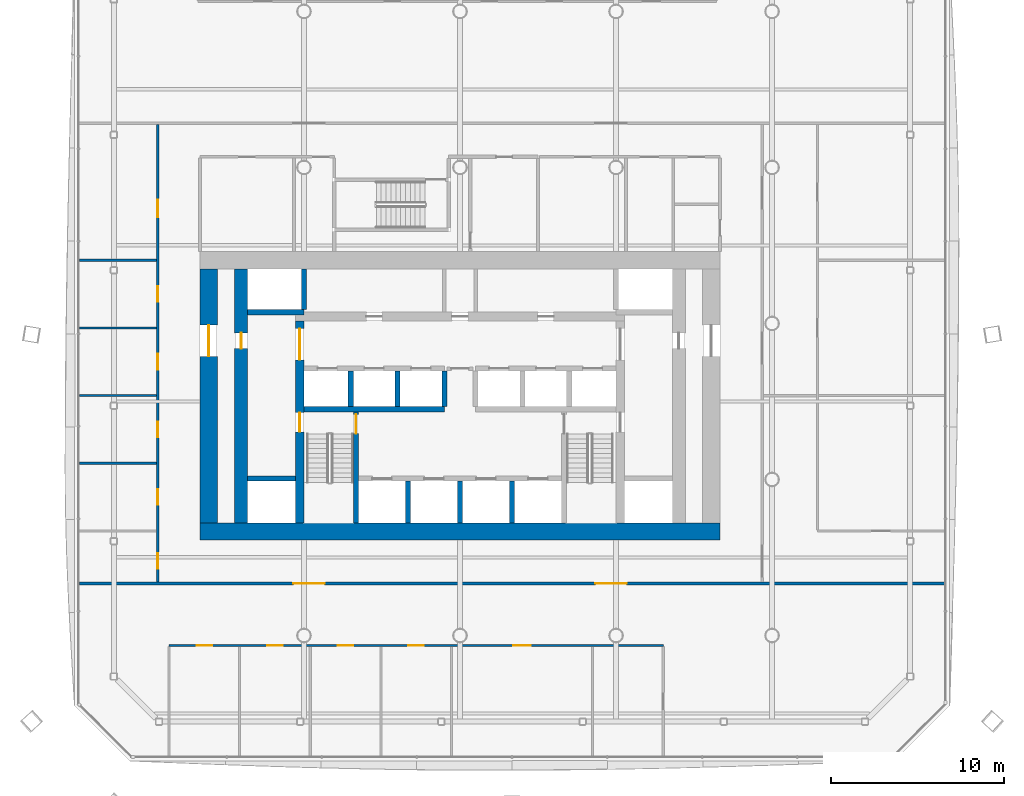
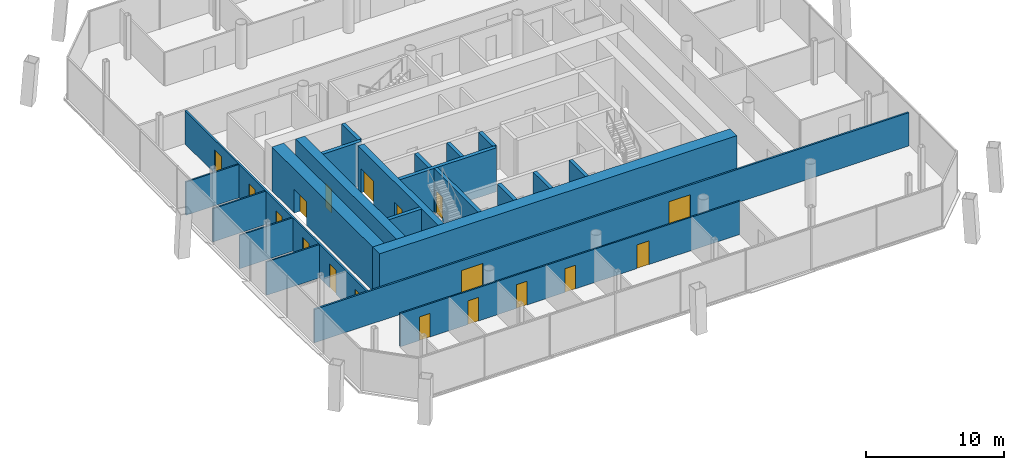
# One storey, part 11 of 19: 22 walls, 18 doors, 18 openings.
"""IFC4 building model written with IfcOpenShell, lengths in metres."""

from ifc_helpers import new_model, si_unit, direction, frame, frame_2d, origin, place, context, subcontext, project, spatial, rectangle, extrude, material, layer, layer_set, type_object, element, fill, save


model = new_model("IFC4")

# Units and contexts
model_context = context("Model", 3, precision=1e-05, world=origin(), true_north=direction((0.0, 1.0)))
body_context = subcontext(model_context, "Body", "Model", "MODEL_VIEW")
ifc_project = project(units=[si_unit("LENGTHUNIT", "METRE"), si_unit("AREAUNIT", "SQUARE_METRE"), si_unit("VOLUMEUNIT", "CUBIC_METRE"), si_unit("PLANEANGLEUNIT", "RADIAN"), si_unit("MASSUNIT", "GRAM", prefix="KILO")], contexts=[model_context])

# Site, building, storey
site_placement = place(None, origin())
site = spatial("IfcSite", under=ifc_project, at=site_placement, CompositionType="ELEMENT")
building_placement = place(site_placement, origin())
building = spatial("IfcBuilding", under=site, at=building_placement, Name="Tskaro Facet Tower", CompositionType="ELEMENT")
storey_placement = place(building_placement, frame((0.0, 0.0, 81.60009765625)))
storey = spatial("IfcBuildingStorey", under=building, at=storey_placement, Name="L19", CompositionType="ELEMENT", Elevation=81.60009765625)

# Walls
ifc_material_1 = material(Name="Concrete C60/75", Category="concrete")
ifc_layer_1 = layer(ifc_material_1, 0.300048828125, Name="Concrete C60/75")
ifc_layer_set_1 = layer_set([ifc_layer_1], Name="Concrete C60/75")
wall_type_1 = type_object("IfcWallType", Name="CORE-SHAFT", PredefinedType="SHEAR", material=ifc_layer_set_1)
wall_1_placement = place(storey_placement, frame((-12.25, -8.949951171875, 0.0), z_axis=(0.0, 0.0, 1.0), x_axis=(1.0, 0.0, 0.0)))
element("IfcWall", 1, at=wall_1_placement, inside=storey, type_object=wall_type_1, Name="Shaft wall W005", PredefinedType="SHEAR", context=body_context, shape_type="SweptSolid", body=[
    extrude(rectangle(XDim=2.75, YDim=0.300048828125, at=frame_2d((1.375, 0.0))), origin(), (0.0, 0.0, 1.0), 3.89990234375),
])
wall_2_placement = place(storey_placement, frame((-9.0, -4.949951171875, 0.0), z_axis=(0.0, 0.0, 1.0), x_axis=(1.0, 0.0, 0.0)))
element("IfcWall", 2, at=wall_2_placement, inside=storey, type_object=wall_type_1, Name="Shaft wall W009", PredefinedType="SHEAR", context=body_context, shape_type="SweptSolid", body=[
    extrude(rectangle(XDim=8.10009765625, YDim=0.300048828125, at=frame_2d((4.050048828125, 0.0))), origin(), (0.0, 0.0, 1.0), 3.89990234375),
])
wall_3_placement = place(storey_placement, frame((-9.0, 0.64990234375, 0.0), z_axis=(0.0, 0.0, 1.0), x_axis=(-1.0, 0.0, 0.0)))
element("IfcWall", 3, at=wall_3_placement, inside=storey, type_object=wall_type_1, Name="Shaft wall W018", PredefinedType="SHEAR", context=body_context, shape_type="SweptSolid", body=[
    extrude(rectangle(XDim=3.25, YDim=0.300048828125, at=frame_2d((1.625, 0.0))), origin(), (0.0, 0.0, 1.0), 3.89990234375),
])
wall_4_placement = place(storey_placement, frame((-9.0, 0.800048828125, 0.0), z_axis=(0.0, 0.0, 1.0), x_axis=(0.0, 1.0, 0.0)))
element("IfcWall", 4, at=wall_4_placement, inside=storey, type_object=wall_type_1, Name="Shaft wall W036", PredefinedType="SHEAR", context=body_context, shape_type="SweptSolid", body=[
    extrude(rectangle(XDim=2.349853515625, YDim=0.300048828125, at=frame_2d((1.1748046875, 0.0))), origin(), (0.0, 0.0, 1.0), 3.89990234375),
])
wall_5_placement = place(storey_placement, frame((-6.300048828125, -4.800048828125, 0.0), z_axis=(0.0, 0.0, 1.0), x_axis=(0.0, 1.0, 0.0)))
element("IfcWall", 5, at=wall_5_placement, inside=storey, type_object=wall_type_1, Name="Shaft wall W042", PredefinedType="SHEAR", context=body_context, shape_type="SweptSolid", body=[
    extrude(rectangle(XDim=2.050048828125, YDim=0.300048828125, at=frame_2d((1.02490234375, 0.0))), origin(), (0.0, 0.0, 1.0), 3.89990234375),
])

# Wall, opening, door
wall_6_placement = place(storey_placement, frame((-6.0, -11.5, 0.0), z_axis=(0.0, 0.0, 1.0), x_axis=(0.0, 1.0, 0.0)))
wall_6 = element("IfcWall", 6, at=wall_6_placement, inside=storey, type_object=wall_type_1, Name="Shaft wall W043", PredefinedType="SHEAR", context=body_context, shape_type="SweptSolid", body=[
    extrude(rectangle(XDim=6.39990234375, YDim=0.300048828125, at=frame_2d((3.199951171875, 0.0))), origin(), (0.0, 0.0, 1.0), 3.89990234375),
])
opening_1_placement = place(wall_6_placement, frame((5.14990234375, 0.0, 0.0)))
opening_1 = element("IfcOpeningElement", 7, at=opening_1_placement, cuts=wall_6, Name="Opening ST-1-D1", PredefinedType="OPENING", context=body_context, shape_type="SweptSolid", body=[
    extrude(rectangle(XDim=1.10009765625, YDim=2.10009765625, at=frame_2d((0.550048828125, 1.050048828125))), frame((0.0, 0.159912109375, 0.0), z_axis=(0.0, -1.0, 0.0), x_axis=(1.0, 0.0, 0.0)), (0.0, 0.0, 1.0), 0.320068359375),
])
ifc_material_2 = material(Name="Steel", Category="steel")
door_type_1 = type_object("IfcDoorType", Name="D-STAIR", OperationType="NOTDEFINED", PredefinedType="DOOR", material=ifc_material_2)
door_1_placement = place(opening_1_placement, origin())
door_1 = element("IfcDoor", 8, at=door_1_placement, inside=storey, type_object=door_type_1, Name="Stair door 1", OperationType="SINGLE_SWING_LEFT", OverallHeight=2.10009765625, OverallWidth=1.10009765625, PredefinedType="DOOR", context=body_context, shape_type="SweptSolid", body=[
    extrude(rectangle(XDim=1.10009765625, YDim=2.10009765625, at=frame_2d((0.550048828125, 1.050048828125))), frame((0.0, 0.02490234375, 0.0), z_axis=(0.0, -1.0, 0.0), x_axis=(1.0, 0.0, 0.0)), (0.0, 0.0, 1.0), 0.050048828125),
])
fill(opening_1, door_1)

# Walls
wall_7_placement = place(storey_placement, frame((-3.60009765625, -4.800048828125, 0.0), z_axis=(0.0, 0.0, 1.0), x_axis=(0.0, 1.0, 0.0)))
element("IfcWall", 9, at=wall_7_placement, inside=storey, type_object=wall_type_1, Name="Shaft wall W045", PredefinedType="SHEAR", context=body_context, shape_type="SweptSolid", body=[
    extrude(rectangle(XDim=2.050048828125, YDim=0.300048828125, at=frame_2d((1.02490234375, 0.0))), origin(), (0.0, 0.0, 1.0), 3.89990234375),
])
wall_8_placement = place(storey_placement, frame((-3.0, -11.5, 0.0), z_axis=(0.0, 0.0, 1.0), x_axis=(0.0, 1.0, 0.0)))
element("IfcWall", 10, at=wall_8_placement, inside=storey, type_object=wall_type_1, Name="Shaft wall W046", PredefinedType="SHEAR", context=body_context, shape_type="SweptSolid", body=[
    extrude(rectangle(XDim=2.39990234375, YDim=0.300048828125, at=frame_2d((1.199951171875, 0.0))), origin(), (0.0, 0.0, 1.0), 3.89990234375),
])
wall_9_placement = place(storey_placement, frame((-0.89990234375, -4.800048828125, 0.0), z_axis=(0.0, 0.0, 1.0), x_axis=(0.0, 1.0, 0.0)))
element("IfcWall", 11, at=wall_9_placement, inside=storey, type_object=wall_type_1, Name="Shaft wall W047", PredefinedType="SHEAR", context=body_context, shape_type="SweptSolid", body=[
    extrude(rectangle(XDim=2.050048828125, YDim=0.300048828125, at=frame_2d((1.02490234375, 0.0))), origin(), (0.0, 0.0, 1.0), 3.89990234375),
])
for number, where, z_axis, x_axis, name in (
    (12, (0.0, -11.5, 0.0), (0.0, 0.0, 1.0), (0.0, 1.0, 0.0), "Shaft wall W053"),
    (13, (3.0, -11.5, 0.0), (0.0, 0.0, 1.0), (0.0, 1.0, 0.0), "Shaft wall W057"),
):
    element("IfcWall", number, at=place(storey_placement, frame(where, z_axis=z_axis, x_axis=x_axis)), inside=storey, type_object=wall_type_1, Name=name, PredefinedType="SHEAR", context=body_context, shape_type="SweptSolid", body=[
        extrude(rectangle(XDim=2.39990234375, YDim=0.300048828125, at=frame_2d((1.199951171875, 0.0))), origin(), (0.0, 0.0, 1.0), 3.89990234375),
    ])
ifc_layer_2 = layer(ifc_material_1, 1.0, Name="Concrete C60/75")
ifc_layer_set_2 = layer_set([ifc_layer_2], Name="Concrete C60/75")
wall_type_2 = type_object("IfcWallType", Name="Core wall 1000", PredefinedType="SHEAR", material=ifc_layer_set_2)
wall_10_placement = place(storey_placement, frame((-15.0, -12.0, 0.0), z_axis=(0.0, 0.0, 1.0), x_axis=(1.0, 0.0, 0.0)))
element("IfcWall", 14, at=wall_10_placement, inside=storey, type_object=wall_type_2, Name="Core wall CW-Z1S", PredefinedType="SHEAR", context=body_context, shape_type="SweptSolid", body=[
    extrude(rectangle(XDim=30.0, YDim=1.0, at=frame_2d((15.0, 0.0))), origin(), (0.0, 0.0, 1.0), 3.89990234375),
])

# Wall, opening, door
wall_11_placement = place(storey_placement, frame((-14.5, -11.5, 0.0), z_axis=(0.0, 0.0, 1.0), x_axis=(0.0, 1.0, 0.0)))
wall_11 = element("IfcWall", 15, at=wall_11_placement, inside=storey, type_object=wall_type_2, Name="Core wall CW-Z1W", PredefinedType="SHEAR", context=body_context, shape_type="SweptSolid", body=[
    extrude(rectangle(XDim=14.64990234375, YDim=1.0, at=frame_2d((7.324951171875, 0.0))), origin(), (0.0, 0.0, 1.0), 3.89990234375),
])
opening_2_placement = place(wall_11_placement, frame((9.60009765625, 0.0, 0.0)))
opening_2 = element("IfcOpeningElement", 16, at=opening_2_placement, cuts=wall_11, Name="Opening T5-D20", PredefinedType="OPENING", context=body_context, shape_type="SweptSolid", body=[
    extrude(rectangle(XDim=1.800048828125, YDim=2.10009765625, at=frame_2d((0.89990234375, 1.050048828125))), frame((0.0, 0.510009765625, 0.0), z_axis=(0.0, -1.0, 0.0), x_axis=(1.0, 0.0, 0.0)), (0.0, 0.0, 1.0), 1.02001953125),
])
door_type_2 = type_object("IfcDoorType", Name="D-CORE-PAIR", OperationType="NOTDEFINED", PredefinedType="DOOR", material=ifc_material_2)
door_2_placement = place(opening_2_placement, origin())
door_2 = element("IfcDoor", 17, at=door_2_placement, inside=storey, type_object=door_type_2, Name="Door T5-D20", OperationType="DOUBLE_DOOR_SINGLE_SWING", OverallHeight=2.10009765625, OverallWidth=1.800048828125, PredefinedType="DOOR", context=body_context, shape_type="SweptSolid", body=[
    extrude(rectangle(XDim=1.800048828125, YDim=2.10009765625, at=frame_2d((0.89990234375, 1.050048828125))), frame((0.0, 0.02490234375, 0.0), z_axis=(0.0, -1.0, 0.0), x_axis=(1.0, 0.0, 0.0)), (0.0, 0.0, 1.0), 0.050048828125),
])
fill(opening_2, door_2)

# Wall, openings, doors
ifc_material_3 = material(Name="Concrete C40/50", Category="concrete")
ifc_layer_3 = layer(ifc_material_3, 0.5, Name="Concrete C40/50")
ifc_layer_set_3 = layer_set([ifc_layer_3], Name="Concrete C40/50")
wall_type_3 = type_object("IfcWallType", Name="Core wall 500", PredefinedType="SHEAR", material=ifc_layer_set_3)
wall_12_placement = place(storey_placement, frame((-9.25, -11.5, 0.0), z_axis=(0.0, 0.0, 1.0), x_axis=(0.0, 1.0, 0.0)))
wall_12 = element("IfcWall", 18, at=wall_12_placement, inside=storey, type_object=wall_type_3, Name="Core wall CW-Z3W", PredefinedType="SHEAR", context=body_context, shape_type="SweptSolid", body=[
    extrude(rectangle(XDim=11.64990234375, YDim=0.5, at=frame_2d((5.824951171875, 0.0))), origin(), (0.0, 0.0, 1.0), 3.89990234375),
])
opening_3_placement = place(wall_12_placement, frame((9.39990234375, 0.0, 0.0)))
opening_3 = element("IfcOpeningElement", 19, at=opening_3_placement, cuts=wall_12, Name="Opening T5-D18", PredefinedType="OPENING", context=body_context, shape_type="SweptSolid", body=[
    extrude(rectangle(XDim=1.800048828125, YDim=2.10009765625, at=frame_2d((0.89990234375, 1.050048828125))), frame((0.0, 0.260009765625, 0.0), z_axis=(0.0, -1.0, 0.0), x_axis=(1.0, 0.0, 0.0)), (0.0, 0.0, 1.0), 0.52001953125),
])
opening_4_placement = place(wall_12_placement, frame((5.25, 0.0, 0.0)))
opening_4 = element("IfcOpeningElement", 20, at=opening_4_placement, cuts=wall_12, Name="Opening ST-1-D2", PredefinedType="OPENING", context=body_context, shape_type="SweptSolid", body=[
    extrude(rectangle(XDim=1.10009765625, YDim=2.10009765625, at=frame_2d((0.550048828125, 1.050048828125))), frame((0.0, 0.260009765625, 0.0), z_axis=(0.0, -1.0, 0.0), x_axis=(1.0, 0.0, 0.0)), (0.0, 0.0, 1.0), 0.52001953125),
])
door_3_placement = place(opening_3_placement, origin())
door_3 = element("IfcDoor", 21, at=door_3_placement, inside=storey, type_object=door_type_2, Name="Door T5-D18", OperationType="DOUBLE_DOOR_SINGLE_SWING", OverallHeight=2.10009765625, OverallWidth=1.800048828125, PredefinedType="DOOR", context=body_context, shape_type="SweptSolid", body=[
    extrude(rectangle(XDim=1.800048828125, YDim=2.10009765625, at=frame_2d((0.89990234375, 1.050048828125))), frame((0.0, 0.02490234375, 0.0), z_axis=(0.0, -1.0, 0.0), x_axis=(1.0, 0.0, 0.0)), (0.0, 0.0, 1.0), 0.050048828125),
])
fill(opening_3, door_3)
door_4_placement = place(opening_4_placement, origin())
door_4 = element("IfcDoor", 22, at=door_4_placement, inside=storey, type_object=door_type_1, Name="Stair door 1 west", OperationType="SINGLE_SWING_LEFT", OverallHeight=2.10009765625, OverallWidth=1.10009765625, PredefinedType="DOOR", context=body_context, shape_type="SweptSolid", body=[
    extrude(rectangle(XDim=1.10009765625, YDim=2.10009765625, at=frame_2d((0.550048828125, 1.050048828125))), frame((0.0, 0.02490234375, 0.0), z_axis=(0.0, -1.0, 0.0), x_axis=(1.0, 0.0, 0.0)), (0.0, 0.0, 1.0), 0.050048828125),
])
fill(opening_4, door_4)

# Wall, opening, door
ifc_material_4 = material(Name="Concrete C50/60", Category="concrete")
ifc_layer_4 = layer(ifc_material_4, 0.75, Name="Concrete C50/60")
ifc_layer_set_4 = layer_set([ifc_layer_4], Name="Concrete C50/60")
wall_type_4 = type_object("IfcWallType", Name="Core wall 750", PredefinedType="SHEAR", material=ifc_layer_set_4)
wall_13_placement = place(storey_placement, frame((-12.625, -11.5, 0.0), z_axis=(0.0, 0.0, 1.0), x_axis=(0.0, 1.0, 0.0)))
wall_13 = element("IfcWall", 23, at=wall_13_placement, inside=storey, type_object=wall_type_4, Name="Core wall CW-Z2W", PredefinedType="SHEAR", context=body_context, shape_type="SweptSolid", body=[
    extrude(rectangle(XDim=14.64990234375, YDim=0.75, at=frame_2d((7.324951171875, 0.0))), origin(), (0.0, 0.0, 1.0), 3.89990234375),
])
opening_5_placement = place(wall_13_placement, frame((10.050048828125, 0.0, 0.0)))
opening_5 = element("IfcOpeningElement", 24, at=opening_5_placement, cuts=wall_13, Name="Opening T5-D21", PredefinedType="OPENING", context=body_context, shape_type="SweptSolid", body=[
    extrude(rectangle(XDim=0.89990234375, YDim=2.10009765625, at=frame_2d((0.449951171875, 1.050048828125))), frame((0.0, 0.385009765625, 0.0), z_axis=(0.0, -1.0, 0.0), x_axis=(1.0, 0.0, 0.0)), (0.0, 0.0, 1.0), 0.77001953125),
])
ifc_material_5 = material(Name="Timber", Category="wood")
door_type_3 = type_object("IfcDoorType", Name="D-ROOM", OperationType="NOTDEFINED", PredefinedType="DOOR", material=ifc_material_5)
door_5_placement = place(opening_5_placement, origin())
door_5 = element("IfcDoor", 25, at=door_5_placement, inside=storey, type_object=door_type_3, Name="Door T5-D21", OperationType="SINGLE_SWING_LEFT", OverallHeight=2.10009765625, OverallWidth=0.89990234375, PredefinedType="DOOR", context=body_context, shape_type="SweptSolid", body=[
    extrude(rectangle(XDim=0.89990234375, YDim=2.10009765625, at=frame_2d((0.449951171875, 1.050048828125))), frame((0.0, 0.02490234375, 0.0), z_axis=(0.0, -1.0, 0.0), x_axis=(1.0, 0.0, 0.0)), (0.0, 0.0, 1.0), 0.050048828125),
])
fill(opening_5, door_5)

# Wall, openings, doors
ifc_material_6 = material(Name="Gypsum board on steel studs", Category="steel")
ifc_layer_5 = layer(ifc_material_6, 0.125, Name="Gypsum board on steel studs")
ifc_layer_set_5 = layer_set([ifc_layer_5], Name="Gypsum board on steel studs")
wall_type_5 = type_object("IfcWallType", Name="PART", PredefinedType="PARTITIONING", material=ifc_layer_set_5)
wall_14_placement = place(storey_placement, frame((11.72607421875, -18.580078125, 0.0), z_axis=(0.0, 0.0, 1.0), x_axis=(-1.0, 0.0, 0.0)))
wall_14 = element("IfcWall", 26, at=wall_14_placement, inside=storey, type_object=wall_type_5, Name="Partition W001", PredefinedType="PARTITIONING", context=body_context, shape_type="SweptSolid", body=[
    extrude(rectangle(XDim=28.510009765625, YDim=0.125, at=frame_2d((14.2548828125, 0.0))), origin(), (0.0, 0.0, 1.0), 2.9599609375),
])
opening_6_placement = place(wall_14_placement, frame((7.64599609375, 0.0, 0.0)))
opening_6 = element("IfcOpeningElement", 27, at=opening_6_placement, cuts=wall_14, Name="Opening T5-D06", PredefinedType="OPENING", context=body_context, shape_type="SweptSolid", body=[
    extrude(rectangle(XDim=1.0, YDim=2.10009765625, at=frame_2d((0.5, 1.050048828125))), frame((0.0, 0.072509765625, 0.0), z_axis=(0.0, -1.0, 0.0), x_axis=(1.0, 0.0, 0.0)), (0.0, 0.0, 1.0), 0.14501953125),
])
opening_7_placement = place(wall_14_placement, frame((26.0234375, 0.0, 0.0)))
opening_7 = element("IfcOpeningElement", 28, at=opening_7_placement, cuts=wall_14, Name="Opening T5-D02", PredefinedType="OPENING", context=body_context, shape_type="SweptSolid", body=[
    extrude(rectangle(XDim=0.89990234375, YDim=2.10009765625, at=frame_2d((0.449951171875, 1.050048828125))), frame((0.0, 0.072509765625, 0.0), z_axis=(0.0, -1.0, 0.0), x_axis=(1.0, 0.0, 0.0)), (0.0, 0.0, 1.0), 0.14501953125),
])
opening_8_placement = place(wall_14_placement, frame((21.950439453125, 0.0, 0.0)))
opening_8 = element("IfcOpeningElement", 29, at=opening_8_placement, cuts=wall_14, Name="Opening T5-D03", PredefinedType="OPENING", context=body_context, shape_type="SweptSolid", body=[
    extrude(rectangle(XDim=0.89990234375, YDim=2.10009765625, at=frame_2d((0.449951171875, 1.050048828125))), frame((0.0, 0.072509765625, 0.0), z_axis=(0.0, -1.0, 0.0), x_axis=(1.0, 0.0, 0.0)), (0.0, 0.0, 1.0), 0.14501953125),
])
opening_9_placement = place(wall_14_placement, frame((17.8779296875, 0.0, 0.0)))
opening_9 = element("IfcOpeningElement", 30, at=opening_9_placement, cuts=wall_14, Name="Opening T5-D04", PredefinedType="OPENING", context=body_context, shape_type="SweptSolid", body=[
    extrude(rectangle(XDim=0.89990234375, YDim=2.10009765625, at=frame_2d((0.449951171875, 1.050048828125))), frame((0.0, 0.072509765625, 0.0), z_axis=(0.0, -1.0, 0.0), x_axis=(1.0, 0.0, 0.0)), (0.0, 0.0, 1.0), 0.14501953125),
])
opening_10_placement = place(wall_14_placement, frame((13.805419921875, 0.0, 0.0)))
opening_10 = element("IfcOpeningElement", 31, at=opening_10_placement, cuts=wall_14, Name="Opening T5-D05", PredefinedType="OPENING", context=body_context, shape_type="SweptSolid", body=[
    extrude(rectangle(XDim=0.89990234375, YDim=2.10009765625, at=frame_2d((0.449951171875, 1.050048828125))), frame((0.0, 0.072509765625, 0.0), z_axis=(0.0, -1.0, 0.0), x_axis=(1.0, 0.0, 0.0)), (0.0, 0.0, 1.0), 0.14501953125),
])
door_6_placement = place(opening_7_placement, origin())
door_6 = element("IfcDoor", 32, at=door_6_placement, inside=storey, type_object=door_type_3, Name="Door T5-D02", OperationType="SINGLE_SWING_RIGHT", OverallHeight=2.10009765625, OverallWidth=0.89990234375, PredefinedType="DOOR", context=body_context, shape_type="SweptSolid", body=[
    extrude(rectangle(XDim=0.89990234375, YDim=2.10009765625, at=frame_2d((0.449951171875, 1.050048828125))), frame((0.0, 0.02490234375, 0.0), z_axis=(0.0, -1.0, 0.0), x_axis=(1.0, 0.0, 0.0)), (0.0, 0.0, 1.0), 0.050048828125),
])
fill(opening_7, door_6)
door_7_placement = place(opening_8_placement, origin())
door_7 = element("IfcDoor", 33, at=door_7_placement, inside=storey, type_object=door_type_3, Name="Door T5-D03", OperationType="SINGLE_SWING_RIGHT", OverallHeight=2.10009765625, OverallWidth=0.89990234375, PredefinedType="DOOR", context=body_context, shape_type="SweptSolid", body=[
    extrude(rectangle(XDim=0.89990234375, YDim=2.10009765625, at=frame_2d((0.449951171875, 1.050048828125))), frame((0.0, 0.02490234375, 0.0), z_axis=(0.0, -1.0, 0.0), x_axis=(1.0, 0.0, 0.0)), (0.0, 0.0, 1.0), 0.050048828125),
])
fill(opening_8, door_7)
door_8_placement = place(opening_9_placement, origin())
door_8 = element("IfcDoor", 34, at=door_8_placement, inside=storey, type_object=door_type_3, Name="Door T5-D04", OperationType="SINGLE_SWING_RIGHT", OverallHeight=2.10009765625, OverallWidth=0.89990234375, PredefinedType="DOOR", context=body_context, shape_type="SweptSolid", body=[
    extrude(rectangle(XDim=0.89990234375, YDim=2.10009765625, at=frame_2d((0.449951171875, 1.050048828125))), frame((0.0, 0.02490234375, 0.0), z_axis=(0.0, -1.0, 0.0), x_axis=(1.0, 0.0, 0.0)), (0.0, 0.0, 1.0), 0.050048828125),
])
fill(opening_9, door_8)
door_9_placement = place(opening_10_placement, origin())
door_9 = element("IfcDoor", 35, at=door_9_placement, inside=storey, type_object=door_type_3, Name="Door T5-D05", OperationType="SINGLE_SWING_RIGHT", OverallHeight=2.10009765625, OverallWidth=0.89990234375, PredefinedType="DOOR", context=body_context, shape_type="SweptSolid", body=[
    extrude(rectangle(XDim=0.89990234375, YDim=2.10009765625, at=frame_2d((0.449951171875, 1.050048828125))), frame((0.0, 0.02490234375, 0.0), z_axis=(0.0, -1.0, 0.0), x_axis=(1.0, 0.0, 0.0)), (0.0, 0.0, 1.0), 0.050048828125),
])
fill(opening_10, door_9)
door_type_4 = type_object("IfcDoorType", Name="D-ROOM-WIDE", OperationType="NOTDEFINED", PredefinedType="DOOR", material=ifc_material_5)
door_10_placement = place(opening_6_placement, origin())
door_10 = element("IfcDoor", 36, at=door_10_placement, inside=storey, type_object=door_type_4, Name="Door T5-D06", OperationType="SINGLE_SWING_RIGHT", OverallHeight=2.10009765625, OverallWidth=1.0, PredefinedType="DOOR", context=body_context, shape_type="SweptSolid", body=[
    extrude(rectangle(XDim=1.0, YDim=2.10009765625, at=frame_2d((0.5, 1.050048828125))), frame((0.0, 0.02490234375, 0.0), z_axis=(0.0, -1.0, 0.0), x_axis=(1.0, 0.0, 0.0)), (0.0, 0.0, 1.0), 0.050048828125),
])
fill(opening_6, door_10)

# Walls
for number, where, z_axis, x_axis, name in (
    (37, (-21.9609375, -8.068115234375, 0.0), (0.0, 0.0, 1.0), (1.0, 0.0, 0.0), "Partition W008"),
    (38, (-21.9609375, -4.162109375, 0.0), (0.0, 0.0, 1.0), (1.0, 0.0, 0.0), "Partition W011"),
    (39, (-21.9609375, -0.257080078125, 0.0), (0.0, 0.0, 1.0), (1.0, 0.0, 0.0), "Partition W017"),
    (40, (-21.9609375, 3.64794921875, 0.0), (0.0, 0.0, 1.0), (1.0, 0.0, 0.0), "Partition W020"),
):
    element("IfcWall", number, at=place(storey_placement, frame(where, z_axis=z_axis, x_axis=x_axis)), inside=storey, type_object=wall_type_5, Name=name, PredefinedType="PARTITIONING", context=body_context, shape_type="SweptSolid", body=[
        extrude(rectangle(XDim=4.4609375, YDim=0.125, at=frame_2d((2.23046875, 0.0))), origin(), (0.0, 0.0, 1.0), 2.9599609375),
    ])

# Wall, openings, doors
ifc_layer_6 = layer(ifc_material_6, 0.14990234375, Name="Gypsum board on steel studs")
ifc_layer_set_6 = layer_set([ifc_layer_6], Name="Gypsum board on steel studs")
wall_type_6 = type_object("IfcWallType", Name="PART-CORR", PredefinedType="PARTITIONING", material=ifc_layer_set_6)
wall_15_placement = place(storey_placement, frame((-21.9609375, -15.0, 0.0), z_axis=(0.0, 0.0, 1.0), x_axis=(1.0, 0.0, 0.0)))
wall_15 = element("IfcWall", 41, at=wall_15_placement, inside=storey, type_object=wall_type_6, Name="Corridor wall W002", PredefinedType="PARTITIONING", context=body_context, shape_type="SweptSolid", body=[
    extrude(rectangle(XDim=49.921875, YDim=0.14990234375, at=frame_2d((24.9609375, 0.0))), origin(), (0.0, 0.0, 1.0), 2.9599609375),
])
opening_11_placement = place(wall_15_placement, frame((12.347900390625, 0.0, 0.0)))
opening_11 = element("IfcOpeningElement", 42, at=opening_11_placement, cuts=wall_15, Name="Opening T5-D07", PredefinedType="OPENING", context=body_context, shape_type="SweptSolid", body=[
    extrude(rectangle(XDim=1.800048828125, YDim=2.10009765625, at=frame_2d((0.89990234375, 1.050048828125))), frame((0.0, 0.0849609375, 0.0), z_axis=(0.0, -1.0, 0.0), x_axis=(1.0, 0.0, 0.0)), (0.0, 0.0, 1.0), 0.169921875),
])
opening_12_placement = place(wall_15_placement, frame((29.77392578125, 0.0, 0.0)))
opening_12 = element("IfcOpeningElement", 43, at=opening_12_placement, cuts=wall_15, Name="Opening T5-D08", PredefinedType="OPENING", context=body_context, shape_type="SweptSolid", body=[
    extrude(rectangle(XDim=1.800048828125, YDim=2.10009765625, at=frame_2d((0.89990234375, 1.050048828125))), frame((0.0, 0.0849609375, 0.0), z_axis=(0.0, -1.0, 0.0), x_axis=(1.0, 0.0, 0.0)), (0.0, 0.0, 1.0), 0.169921875),
])
ifc_material_7 = material(Name="Glass", Category="glass")
door_type_5 = type_object("IfcDoorType", Name="D-ENTRY-PAIR", OperationType="NOTDEFINED", PredefinedType="DOOR", material=ifc_material_7)
door_11_placement = place(opening_11_placement, origin())
door_11 = element("IfcDoor", 44, at=door_11_placement, inside=storey, type_object=door_type_5, Name="Door T5-D07", OperationType="DOUBLE_DOOR_SINGLE_SWING", OverallHeight=2.10009765625, OverallWidth=1.800048828125, PredefinedType="DOOR", context=body_context, shape_type="SweptSolid", body=[
    extrude(rectangle(XDim=1.800048828125, YDim=2.10009765625, at=frame_2d((0.89990234375, 1.050048828125))), frame((0.0, 0.02490234375, 0.0), z_axis=(0.0, -1.0, 0.0), x_axis=(1.0, 0.0, 0.0)), (0.0, 0.0, 1.0), 0.050048828125),
])
fill(opening_11, door_11)
door_12_placement = place(opening_12_placement, origin())
door_12 = element("IfcDoor", 45, at=door_12_placement, inside=storey, type_object=door_type_5, Name="Door T5-D08", OperationType="DOUBLE_DOOR_SINGLE_SWING", OverallHeight=2.10009765625, OverallWidth=1.800048828125, PredefinedType="DOOR", context=body_context, shape_type="SweptSolid", body=[
    extrude(rectangle(XDim=1.800048828125, YDim=2.10009765625, at=frame_2d((0.89990234375, 1.050048828125))), frame((0.0, 0.02490234375, 0.0), z_axis=(0.0, -1.0, 0.0), x_axis=(1.0, 0.0, 0.0)), (0.0, 0.0, 1.0), 0.050048828125),
])
fill(opening_12, door_12)

wall_16_placement = place(storey_placement, frame((-17.425048828125, -14.925048828125, 0.0), z_axis=(0.0, 0.0, 1.0), x_axis=(0.0, 1.0, 0.0)))
wall_16 = element("IfcWall", 46, at=wall_16_placement, inside=storey, type_object=wall_type_6, Name="Corridor wall W030", PredefinedType="PARTITIONING", context=body_context, shape_type="SweptSolid", body=[
    extrude(rectangle(XDim=26.405029296875, YDim=0.14990234375, at=frame_2d((13.20263671875, 0.0))), origin(), (0.0, 0.0, 1.0), 2.9599609375),
])
opening_13_placement = place(wall_16_placement, frame((0.762451171875, 0.0, 0.0)))
opening_13 = element("IfcOpeningElement", 47, at=opening_13_placement, cuts=wall_16, Name="Opening T5-D09", PredefinedType="OPENING", context=body_context, shape_type="SweptSolid", body=[
    extrude(rectangle(XDim=0.89990234375, YDim=2.10009765625, at=frame_2d((0.449951171875, 1.050048828125))), frame((0.0, 0.0849609375, 0.0), z_axis=(0.0, -1.0, 0.0), x_axis=(1.0, 0.0, 0.0)), (0.0, 0.0, 1.0), 0.169921875),
])
opening_14_placement = place(wall_16_placement, frame((4.45458984375, 0.0, 0.0)))
opening_14 = element("IfcOpeningElement", 48, at=opening_14_placement, cuts=wall_16, Name="Opening T5-D12", PredefinedType="OPENING", context=body_context, shape_type="SweptSolid", body=[
    extrude(rectangle(XDim=0.89990234375, YDim=2.10009765625, at=frame_2d((0.449951171875, 1.050048828125))), frame((0.0, 0.0849609375, 0.0), z_axis=(0.0, -1.0, 0.0), x_axis=(1.0, 0.0, 0.0)), (0.0, 0.0, 1.0), 0.169921875),
])
opening_15_placement = place(wall_16_placement, frame((8.360107421875, 0.0, 0.0)))
opening_15 = element("IfcOpeningElement", 49, at=opening_15_placement, cuts=wall_16, Name="Opening T5-D15", PredefinedType="OPENING", context=body_context, shape_type="SweptSolid", body=[
    extrude(rectangle(XDim=0.89990234375, YDim=2.10009765625, at=frame_2d((0.449951171875, 1.050048828125))), frame((0.0, 0.0849609375, 0.0), z_axis=(0.0, -1.0, 0.0), x_axis=(1.0, 0.0, 0.0)), (0.0, 0.0, 1.0), 0.169921875),
])
opening_16_placement = place(wall_16_placement, frame((12.265380859375, 0.0, 0.0)))
opening_16 = element("IfcOpeningElement", 50, at=opening_16_placement, cuts=wall_16, Name="Opening T5-D16", PredefinedType="OPENING", context=body_context, shape_type="SweptSolid", body=[
    extrude(rectangle(XDim=0.89990234375, YDim=2.10009765625, at=frame_2d((0.449951171875, 1.050048828125))), frame((0.0, 0.0849609375, 0.0), z_axis=(0.0, -1.0, 0.0), x_axis=(1.0, 0.0, 0.0)), (0.0, 0.0, 1.0), 0.169921875),
])
opening_17_placement = place(wall_16_placement, frame((16.17041015625, 0.0, 0.0)))
opening_17 = element("IfcOpeningElement", 51, at=opening_17_placement, cuts=wall_16, Name="Opening T5-D30", PredefinedType="OPENING", context=body_context, shape_type="SweptSolid", body=[
    extrude(rectangle(XDim=0.89990234375, YDim=2.10009765625, at=frame_2d((0.449951171875, 1.050048828125))), frame((0.0, 0.0849609375, 0.0), z_axis=(0.0, -1.0, 0.0), x_axis=(1.0, 0.0, 0.0)), (0.0, 0.0, 1.0), 0.169921875),
])
opening_18_placement = place(wall_16_placement, frame((21.051513671875, 0.0, 0.0)))
opening_18 = element("IfcOpeningElement", 52, at=opening_18_placement, cuts=wall_16, Name="Opening T5-D33", PredefinedType="OPENING", context=body_context, shape_type="SweptSolid", body=[
    extrude(rectangle(XDim=1.0, YDim=2.10009765625, at=frame_2d((0.5, 1.050048828125))), frame((0.0, 0.0849609375, 0.0), z_axis=(0.0, -1.0, 0.0), x_axis=(1.0, 0.0, 0.0)), (0.0, 0.0, 1.0), 0.169921875),
])
door_13_placement = place(opening_13_placement, origin())
door_13 = element("IfcDoor", 53, at=door_13_placement, inside=storey, type_object=door_type_3, Name="Door T5-D09", OperationType="SINGLE_SWING_LEFT", OverallHeight=2.10009765625, OverallWidth=0.89990234375, PredefinedType="DOOR", context=body_context, shape_type="SweptSolid", body=[
    extrude(rectangle(XDim=0.89990234375, YDim=2.10009765625, at=frame_2d((0.449951171875, 1.050048828125))), frame((0.0, 0.02490234375, 0.0), z_axis=(0.0, -1.0, 0.0), x_axis=(1.0, 0.0, 0.0)), (0.0, 0.0, 1.0), 0.050048828125),
])
fill(opening_13, door_13)
door_14_placement = place(opening_14_placement, origin())
door_14 = element("IfcDoor", 54, at=door_14_placement, inside=storey, type_object=door_type_3, Name="Door T5-D12", OperationType="SINGLE_SWING_LEFT", OverallHeight=2.10009765625, OverallWidth=0.89990234375, PredefinedType="DOOR", context=body_context, shape_type="SweptSolid", body=[
    extrude(rectangle(XDim=0.89990234375, YDim=2.10009765625, at=frame_2d((0.449951171875, 1.050048828125))), frame((0.0, 0.02490234375, 0.0), z_axis=(0.0, -1.0, 0.0), x_axis=(1.0, 0.0, 0.0)), (0.0, 0.0, 1.0), 0.050048828125),
])
fill(opening_14, door_14)
door_15_placement = place(opening_15_placement, origin())
door_15 = element("IfcDoor", 55, at=door_15_placement, inside=storey, type_object=door_type_3, Name="Door T5-D15", OperationType="SINGLE_SWING_LEFT", OverallHeight=2.10009765625, OverallWidth=0.89990234375, PredefinedType="DOOR", context=body_context, shape_type="SweptSolid", body=[
    extrude(rectangle(XDim=0.89990234375, YDim=2.10009765625, at=frame_2d((0.449951171875, 1.050048828125))), frame((0.0, 0.02490234375, 0.0), z_axis=(0.0, -1.0, 0.0), x_axis=(1.0, 0.0, 0.0)), (0.0, 0.0, 1.0), 0.050048828125),
])
fill(opening_15, door_15)
door_16_placement = place(opening_16_placement, origin())
door_16 = element("IfcDoor", 56, at=door_16_placement, inside=storey, type_object=door_type_3, Name="Door T5-D16", OperationType="SINGLE_SWING_LEFT", OverallHeight=2.10009765625, OverallWidth=0.89990234375, PredefinedType="DOOR", context=body_context, shape_type="SweptSolid", body=[
    extrude(rectangle(XDim=0.89990234375, YDim=2.10009765625, at=frame_2d((0.449951171875, 1.050048828125))), frame((0.0, 0.02490234375, 0.0), z_axis=(0.0, -1.0, 0.0), x_axis=(1.0, 0.0, 0.0)), (0.0, 0.0, 1.0), 0.050048828125),
])
fill(opening_16, door_16)
door_17_placement = place(opening_17_placement, origin())
door_17 = element("IfcDoor", 57, at=door_17_placement, inside=storey, type_object=door_type_3, Name="Door T5-D30", OperationType="SINGLE_SWING_LEFT", OverallHeight=2.10009765625, OverallWidth=0.89990234375, PredefinedType="DOOR", context=body_context, shape_type="SweptSolid", body=[
    extrude(rectangle(XDim=0.89990234375, YDim=2.10009765625, at=frame_2d((0.449951171875, 1.050048828125))), frame((0.0, 0.02490234375, 0.0), z_axis=(0.0, -1.0, 0.0), x_axis=(1.0, 0.0, 0.0)), (0.0, 0.0, 1.0), 0.050048828125),
])
fill(opening_17, door_17)
door_18_placement = place(opening_18_placement, origin())
door_18 = element("IfcDoor", 58, at=door_18_placement, inside=storey, type_object=door_type_4, Name="Door T5-D33", OperationType="SINGLE_SWING_LEFT", OverallHeight=2.10009765625, OverallWidth=1.0, PredefinedType="DOOR", context=body_context, shape_type="SweptSolid", body=[
    extrude(rectangle(XDim=1.0, YDim=2.10009765625, at=frame_2d((0.5, 1.050048828125))), frame((0.0, 0.02490234375, 0.0), z_axis=(0.0, -1.0, 0.0), x_axis=(1.0, 0.0, 0.0)), (0.0, 0.0, 1.0), 0.050048828125),
])
fill(opening_18, door_18)

save(model, "model.ifc")
